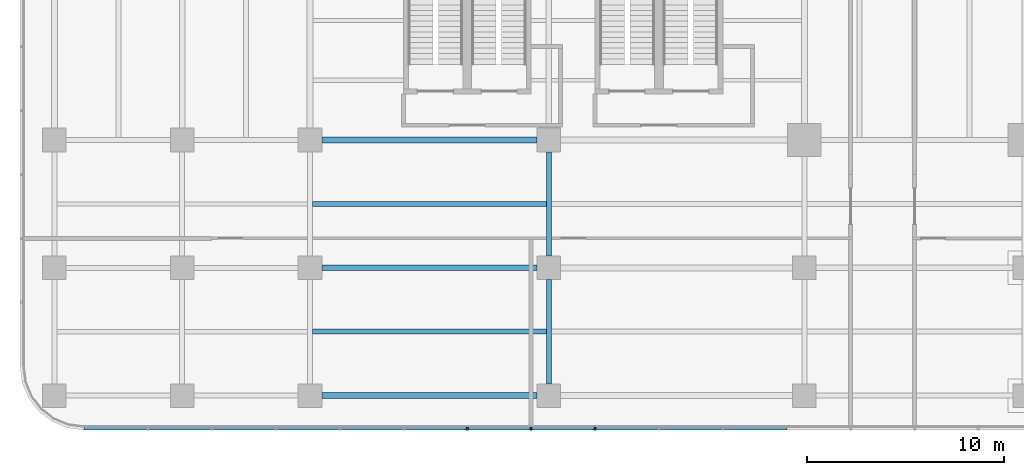
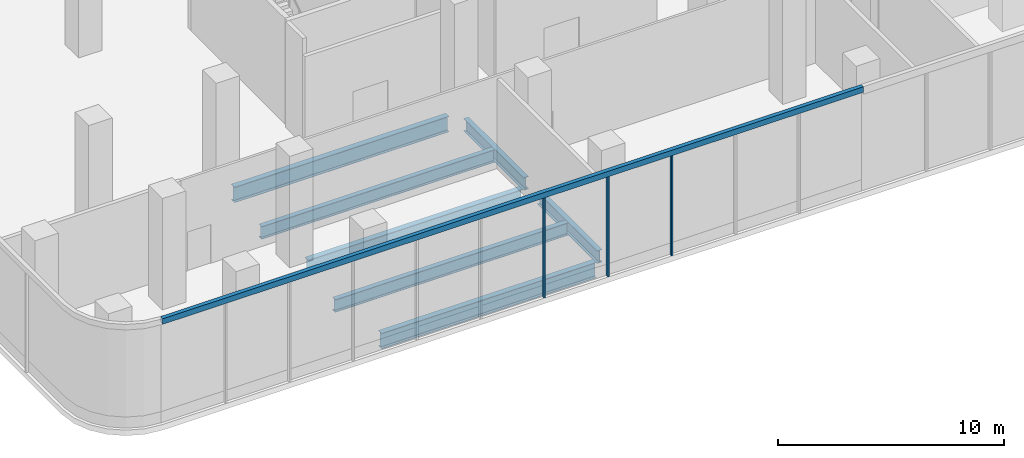
# One storey, part 3 of 41: 7 beams, 4 members, 1 element without a shape of its own.
"""IFC4 building model written with IfcOpenShell, lengths in metres."""

from ifc_helpers import new_model, si_unit, direction, frame, origin, origin_2d, place, context, subcontext, project, spatial, polyline, rectangle, i_section, outline, extrude, source, transform, mapped, material, layer, layer_set, material_profile, profile_set, type_object, element, aggregate, save


model = new_model("IFC4")

# Units and contexts
model_context = context("Model", 3, precision=1e-05, world=origin(), true_north=direction((0.0, 1.0)))
body_context = subcontext(model_context, "Body", "Model", "MODEL_VIEW")
ifc_project = project(units=[si_unit("LENGTHUNIT", "METRE"), si_unit("AREAUNIT", "SQUARE_METRE"), si_unit("VOLUMEUNIT", "CUBIC_METRE"), si_unit("PLANEANGLEUNIT", "RADIAN"), si_unit("MASSUNIT", "GRAM", prefix="KILO")], contexts=[model_context])

# Site, building, storey
site_placement = place(None, origin())
site = spatial("IfcSite", under=ifc_project, at=site_placement, CompositionType="ELEMENT")
building_placement = place(site_placement, origin())
building = spatial("IfcBuilding", under=site, at=building_placement, Name="Trellis Farm Tower", CompositionType="ELEMENT")
storey_placement = place(building_placement, frame((0.0, 0.0, 8.0)))
storey = spatial("IfcBuildingStorey", under=building, at=storey_placement, Name="L01", CompositionType="ELEMENT", Elevation=8.0)

# Curtain wall, member
ifc_material_1 = material(Name="Aluminium and glass curtain wall", Category="aluminium")
ifc_layer_1 = layer(ifc_material_1, 0.201904296875)
ifc_layer_set_1 = layer_set([ifc_layer_1], Name="SHOPFRONT CURTAIN WALL CW2")
curtain_wall_type = type_object("IfcCurtainWallType", Name="SHOPFRONT CURTAIN WALL CW2", PredefinedType="NOTDEFINED", material=ifc_layer_set_1)
curtain_wall_placement = place(storey_placement, origin())
curtain_wall = element("IfcCurtainWall", 1, at=curtain_wall_placement, inside=storey, type_object=curtain_wall_type, Name="CW2 007", PredefinedType="NOTDEFINED")
ifc_material_2 = material(Name="Aluminium extrusion 6063-T6", Category="aluminium")
ifc_layer_2 = layer(ifc_material_2, 0.205078125)
ifc_layer_set_2 = layer_set([ifc_layer_2], Name="Aluminium extrusion 6063-T6")
member_type_1 = type_object("IfcMemberType", Name="CW2 TRANSOM 205x300", PredefinedType="USERDEFINED", material=ifc_layer_set_2)
member_1_placement = place(storey_placement, frame((0.0, 0.0, 5.39990234375)))
member_1 = element("IfcMember", 2, at=member_1_placement, type_object=member_type_1, Name="TR2 007", ObjectType="TRANSOM", PredefinedType="USERDEFINED", context=body_context, shape_type="SweptSolid", body=[
    extrude(outline(polyline([(-42.25, -45.5), (-6.5, -45.5), (-6.5, -45.294921875), (-42.236572265625, -45.294921875), (-42.25, -45.5)])), origin(), (0.0, 0.0, 1.0), 0.300048828125),
])

# Beams
ifc_material_3 = material(Name="Steel S355", Category="steel")
ifc_material_profile_1 = material_profile(ifc_material_3, i_section(OverallWidth=0.253662109375, OverallDepth=0.68359375, WebThickness=0.012451171875, FlangeThickness=0.021728515625, FilletRadius=0.01513671875, at=origin_2d()), Name="UB 686x254x140")
ifc_profile_set_1 = profile_set([ifc_material_profile_1], Name="Steel S355")
beam_type_1 = type_object("IfcBeamType", Name="UB 686x254x140", PredefinedType="BEAM", material=ifc_profile_set_1)
shared_shape_1 = source(origin(), body_context, "Body", "SweptSolid", [
    extrude(i_section(OverallWidth=0.253662109375, OverallDepth=0.68359375, WebThickness=0.012451171875, FlangeThickness=0.021728515625, FilletRadius=0.01513671875, at=origin_2d()), origin(), (0.0, 0.0, 1.0), 5.2998046875),
])
for number, where, z_axis, x_axis, name in (
    (3, (-18.60009765625, -43.14990234375, -0.641845703125), (0.0, 1.0, 0.0), (-1.0, 0.0, 0.0), "Girder"),
    (4, (-18.60009765625, -36.64990234375, -0.641845703125), (0.0, 1.0, 0.0), (-1.0, 0.0, 0.0), "Girder"),
):
    element("IfcBeam", number, at=place(storey_placement, frame(where, z_axis=z_axis, x_axis=x_axis)), inside=storey, type_object=beam_type_1, Name=name, PredefinedType="BEAM", context=body_context, shape_type="MappedRepresentation", body=[
        mapped(shared_shape_1, transform((0.0, 0.0, 0.0))),
    ])
ifc_material_profile_2 = material_profile(ifc_material_3, i_section(OverallWidth=0.29248046875, OverallDepth=0.8408203125, WebThickness=0.0146484375, FlangeThickness=0.021728515625, FilletRadius=0.017822265625, at=origin_2d()), Name="UB 838x292x194")
ifc_profile_set_2 = profile_set([ifc_material_profile_2], Name="Steel S355")
beam_type_2 = type_object("IfcBeamType", Name="UB 838x292x194", PredefinedType="BEAM", material=ifc_profile_set_2)
shared_shape_2 = source(origin(), body_context, "Body", "SweptSolid", [
    extrude(i_section(OverallWidth=0.29248046875, OverallDepth=0.8408203125, WebThickness=0.0146484375, FlangeThickness=0.021728515625, FilletRadius=0.017822265625, at=origin_2d()), origin(), (0.0, 0.0, 1.0), 10.949951171875),
])
for number, where, z_axis, x_axis, name in (
    (5, (-30.14990234375, -43.75, -0.72021484375), (1.0, 0.0, 0.0), (0.0, 1.0, 0.0), "Girder"),
    (6, (-30.14990234375, -37.25, -0.72021484375), (1.0, 0.0, 0.0), (0.0, 1.0, 0.0), "Girder"),
    (7, (-30.14990234375, -30.75, -0.72021484375), (1.0, 0.0, 0.0), (0.0, 1.0, 0.0), "Girder"),
):
    element("IfcBeam", number, at=place(storey_placement, frame(where, z_axis=z_axis, x_axis=x_axis)), inside=storey, type_object=beam_type_2, Name=name, PredefinedType="BEAM", context=body_context, shape_type="MappedRepresentation", body=[
        mapped(shared_shape_2, transform((0.0, 0.0, 0.0))),
    ])
ifc_material_profile_3 = material_profile(ifc_material_3, i_section(OverallWidth=0.253662109375, OverallDepth=0.68359375, WebThickness=0.012451171875, FlangeThickness=0.021728515625, FilletRadius=0.01513671875, at=origin_2d()), Name="UB 686x254x140")
ifc_profile_set_3 = profile_set([ifc_material_profile_3], Name="Steel S355")
beam_type_3 = type_object("IfcBeamType", Name="UB 686x254x140 joist", PredefinedType="JOIST", material=ifc_profile_set_3)
shared_shape_3 = source(origin(), body_context, "Body", "SweptSolid", [
    extrude(i_section(OverallWidth=0.253662109375, OverallDepth=0.68359375, WebThickness=0.012451171875, FlangeThickness=0.021728515625, FilletRadius=0.01513671875, at=origin_2d()), origin(), (0.0, 0.0, 1.0), 11.896240234375),
])
for number, where, z_axis, x_axis, name in (
    (8, (-30.623046875, -40.5, -0.641845703125), (1.0, 0.0, 0.0), (0.0, 1.0, 0.0), "Floor beam"),
    (9, (-30.623046875, -34.0, -0.641845703125), (1.0, 0.0, 0.0), (0.0, 1.0, 0.0), "Floor beam"),
):
    element("IfcBeam", number, at=place(storey_placement, frame(where, z_axis=z_axis, x_axis=x_axis)), inside=storey, type_object=beam_type_3, Name=name, PredefinedType="JOIST", context=body_context, shape_type="MappedRepresentation", body=[
        mapped(shared_shape_3, transform((0.0, 0.0, 0.0))),
    ])

# Member
ifc_material_profile_4 = material_profile(ifc_material_2, rectangle(XDim=0.080078125, YDim=0.14990234375, at=origin_2d()), Name="MULLION 80x150")
ifc_profile_set_4 = profile_set([ifc_material_profile_4], Name="Aluminium extrusion 6063-T6")
member_type_2 = type_object("IfcMemberType", Name="CW2 MULLION 80x150", PredefinedType="MULLION", material=ifc_profile_set_4)
shared_shape_4 = source(origin(), body_context, "Body", "SweptSolid", [
    extrude(rectangle(XDim=0.080078125, YDim=0.14990234375, at=origin_2d()), origin(), (0.0, 0.0, 1.0), 5.39990234375),
])
member_2_placement = place(storey_placement, frame((-22.75, -45.425048828125, 0.0), z_axis=(0.0, 0.0, 1.0), x_axis=(1.0, 0.0, 0.0)))
member_2 = element("IfcMember", 10, at=member_2_placement, type_object=member_type_2, Name="MU2 007-06", PredefinedType="MULLION", context=body_context, shape_type="MappedRepresentation", body=[
    mapped(shared_shape_4, transform((0.0, 0.0, 0.0))),
])

member_3_placement = place(storey_placement, frame((-19.5, -45.425048828125, 0.0), z_axis=(0.0, 0.0, 1.0), x_axis=(1.0, 0.0, 0.0)))
member_3 = element("IfcMember", 11, at=member_3_placement, type_object=member_type_2, Name="MU2 007-07", PredefinedType="MULLION", context=body_context, shape_type="MappedRepresentation", body=[
    mapped(shared_shape_4, transform((0.0, 0.0, 0.0))),
])

member_4_placement = place(storey_placement, frame((-16.25, -45.425048828125, 0.0), z_axis=(0.0, 0.0, 1.0), x_axis=(1.0, 0.0, 0.0)))
member_4 = element("IfcMember", 12, at=member_4_placement, type_object=member_type_2, Name="MU2 007-08", PredefinedType="MULLION", context=body_context, shape_type="MappedRepresentation", body=[
    mapped(shared_shape_4, transform((0.0, 0.0, 0.0))),
])

aggregate(curtain_wall, [member_2, member_3, member_4, member_1])

save(model, "model.ifc")
